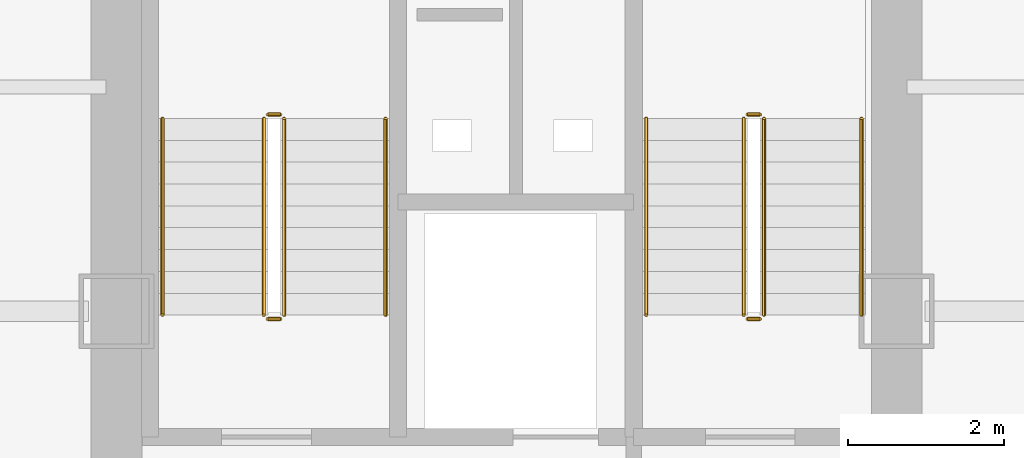
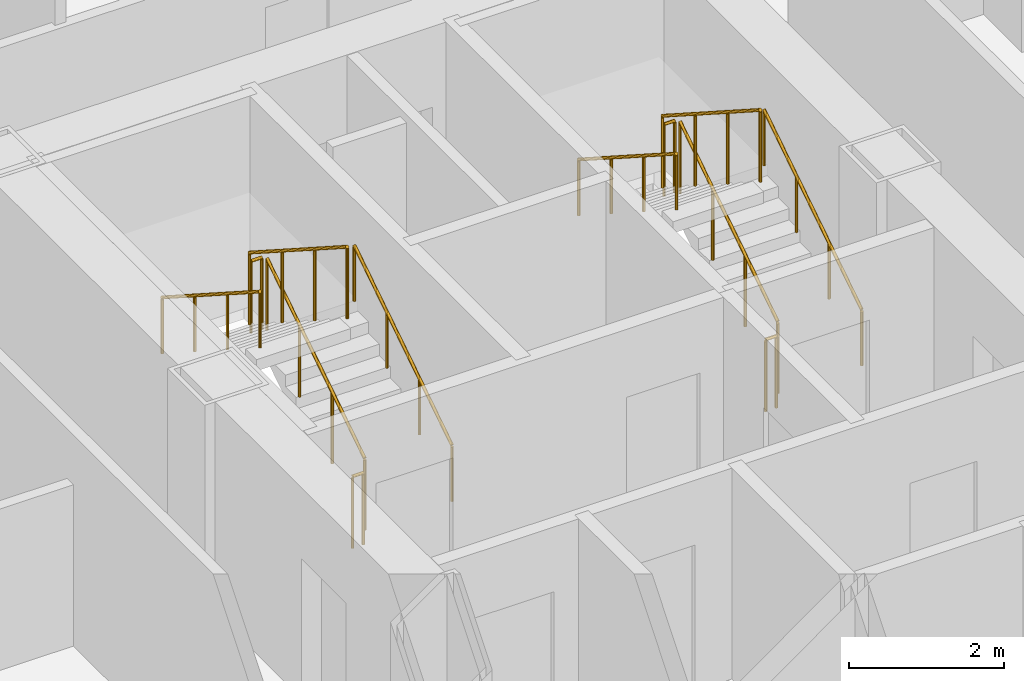
# One storey, part 21 of 22: 12 railings.
"""IFC4 building model written with IfcOpenShell, lengths in metres."""

from ifc_helpers import new_model, si_unit, direction, frame, origin, origin_2d, place, context, subcontext, project, spatial, circle, extrude, material, type_object, element, save


model = new_model("IFC4")

# Units and contexts
model_context = context("Model", 3, precision=1e-05, world=origin(), true_north=direction((0.0, 1.0)))
body_context = subcontext(model_context, "Body", "Model", "MODEL_VIEW")
ifc_project = project(units=[si_unit("LENGTHUNIT", "METRE"), si_unit("AREAUNIT", "SQUARE_METRE"), si_unit("VOLUMEUNIT", "CUBIC_METRE"), si_unit("PLANEANGLEUNIT", "RADIAN"), si_unit("MASSUNIT", "GRAM", prefix="KILO")], contexts=[model_context])

# Site, building, storey
site_placement = place(None, origin())
site = spatial("IfcSite", under=ifc_project, at=site_placement, CompositionType="ELEMENT")
building_placement = place(site_placement, origin())
building = spatial("IfcBuilding", under=site, at=building_placement, Name="Kolveth Station Tower", CompositionType="ELEMENT")
storey_placement = place(building_placement, frame((0.0, 0.0, 51.300048828125)))
storey = spatial("IfcBuildingStorey", under=building, at=storey_placement, Name="L13", CompositionType="ELEMENT", Elevation=51.300048828125)

# Railings
ifc_material_1 = material(Name="Painted Steel S355 balustrade", Category="steel")
railing_type_1 = type_object("IfcRailingType", Name="Guard_GR2", PredefinedType="BALUSTRADE", material=ifc_material_1)
railing_1_placement = place(storey_placement, frame((20.64990234375, 22.949951171875, 0.179931640625)))
element("IfcRailing", 1, at=railing_1_placement, inside=storey, type_object=railing_type_1, Name="L13 ST1 stair guard 1", PredefinedType="BALUSTRADE", context=body_context, shape_type="SweptSolid", body=[
    extrude(circle(Radius=0.02392578125, at=origin_2d()), frame((0.0, 0.0, 1.1259765625), z_axis=(0.0, 0.841162588446, 0.540782303519), x_axis=(-1.0, 0.0, 0.0)), (0.0, 0.0, 1.0), 2.995849609375),
    extrude(circle(Radius=0.02099609375, at=origin_2d()), origin(), (0.0, 0.0, 1.0), 1.101806640625),
    extrude(circle(Radius=0.02099609375, at=origin_2d()), frame((0.0, 0.840087890625, 0.5400390625)), (0.0, 0.0, 1.0), 1.101806640625),
    extrude(circle(Radius=0.02099609375, at=origin_2d()), frame((0.0, 1.679931640625, 1.080078125)), (0.0, 0.0, 1.0), 1.101806640625),
    extrude(circle(Radius=0.02099609375, at=origin_2d()), frame((0.0, 2.52001953125, 1.6201171875)), (0.0, 0.0, 1.0), 1.101806640625),
])
railing_2_placement = place(storey_placement, frame((20.60009765625, 25.52001953125, 1.800048828125)))
element("IfcRailing", 2, at=railing_2_placement, inside=storey, type_object=railing_type_1, Name="L13 ST1 stair guard 2", PredefinedType="BALUSTRADE", context=body_context, shape_type="SweptSolid", body=[
    extrude(circle(Radius=0.02392578125, at=origin_2d()), frame((0.0, 0.0, 1.1259765625), z_axis=(-1.0, 0.0, 0.0), x_axis=(0.0, -1.0, 0.0)), (0.0, 0.0, 1.0), 0.16015625),
    extrude(circle(Radius=0.02099609375, at=origin_2d()), origin(), (0.0, 0.0, 1.0), 1.101806640625),
    extrude(circle(Radius=0.02099609375, at=origin_2d()), frame((-0.16015625, 0.0, 0.0)), (0.0, 0.0, 1.0), 1.101806640625),
])
railing_3_placement = place(storey_placement, frame((20.389892578125, 25.469970703125, 1.97998046875)))
element("IfcRailing", 3, at=railing_3_placement, inside=storey, type_object=railing_type_1, Name="L13 ST1 stair guard 3", PredefinedType="BALUSTRADE", context=body_context, shape_type="SweptSolid", body=[
    extrude(circle(Radius=0.02392578125, at=origin_2d()), frame((0.0, 0.0, 1.1259765625), z_axis=(0.0, -0.841199657755, 0.540724639528), x_axis=(1.0, 0.0, 0.0)), (0.0, 0.0, 1.0), 2.995849609375),
    extrude(circle(Radius=0.02099609375, at=origin_2d()), origin(), (0.0, 0.0, 1.0), 1.101806640625),
    extrude(circle(Radius=0.02099609375, at=origin_2d()), frame((0.0, -0.840087890625, 0.5400390625)), (0.0, 0.0, 1.0), 1.101806640625),
    extrude(circle(Radius=0.02099609375, at=origin_2d()), frame((0.0, -1.679931640625, 1.079833984375)), (0.0, 0.0, 1.0), 1.101806640625),
    extrude(circle(Radius=0.02099609375, at=origin_2d()), frame((0.0, -2.52001953125, 1.619873046875)), (0.0, 0.0, 1.0), 1.101806640625),
])
railing_4_placement = place(storey_placement, frame((20.60009765625, 22.89990234375, 0.0)))
element("IfcRailing", 4, at=railing_4_placement, inside=storey, type_object=railing_type_1, Name="L13 ST1 stair guard 4", PredefinedType="BALUSTRADE", context=body_context, shape_type="SweptSolid", body=[
    extrude(circle(Radius=0.02392578125, at=origin_2d()), frame((0.0, 0.0, 1.1259765625), z_axis=(-1.0, 0.0, 0.0), x_axis=(0.0, -1.0, 0.0)), (0.0, 0.0, 1.0), 0.16015625),
    extrude(circle(Radius=0.02099609375, at=origin_2d()), origin(), (0.0, 0.0, 1.0), 1.101806640625),
    extrude(circle(Radius=0.02099609375, at=origin_2d()), frame((-0.16015625, 0.0, 0.0)), (0.0, 0.0, 1.0), 1.101806640625),
])
railing_5_placement = place(storey_placement, frame((26.800048828125, 22.949951171875, 0.179931640625)))
element("IfcRailing", 5, at=railing_5_placement, inside=storey, type_object=railing_type_1, Name="L13 ST2 stair guard 1", PredefinedType="BALUSTRADE", context=body_context, shape_type="SweptSolid", body=[
    extrude(circle(Radius=0.02392578125, at=origin_2d()), frame((0.0, 0.0, 1.1259765625), z_axis=(0.0, 0.841162588446, 0.540782303519), x_axis=(-1.0, 0.0, 0.0)), (0.0, 0.0, 1.0), 2.995849609375),
    extrude(circle(Radius=0.02099609375, at=origin_2d()), origin(), (0.0, 0.0, 1.0), 1.101806640625),
    extrude(circle(Radius=0.02099609375, at=origin_2d()), frame((0.0, 0.840087890625, 0.5400390625)), (0.0, 0.0, 1.0), 1.101806640625),
    extrude(circle(Radius=0.02099609375, at=origin_2d()), frame((0.0, 1.679931640625, 1.080078125)), (0.0, 0.0, 1.0), 1.101806640625),
    extrude(circle(Radius=0.02099609375, at=origin_2d()), frame((0.0, 2.52001953125, 1.6201171875)), (0.0, 0.0, 1.0), 1.101806640625),
])
railing_6_placement = place(storey_placement, frame((26.75, 25.52001953125, 1.800048828125)))
element("IfcRailing", 6, at=railing_6_placement, inside=storey, type_object=railing_type_1, Name="L13 ST2 stair guard 2", PredefinedType="BALUSTRADE", context=body_context, shape_type="SweptSolid", body=[
    extrude(circle(Radius=0.02392578125, at=origin_2d()), frame((0.0, 0.0, 1.1259765625), z_axis=(-1.0, 0.0, 0.0), x_axis=(0.0, -1.0, 0.0)), (0.0, 0.0, 1.0), 0.159912109375),
    extrude(circle(Radius=0.02099609375, at=origin_2d()), origin(), (0.0, 0.0, 1.0), 1.101806640625),
    extrude(circle(Radius=0.02099609375, at=origin_2d()), frame((-0.159912109375, 0.0, 0.0)), (0.0, 0.0, 1.0), 1.101806640625),
])
railing_7_placement = place(storey_placement, frame((26.5400390625, 25.469970703125, 1.97998046875)))
element("IfcRailing", 7, at=railing_7_placement, inside=storey, type_object=railing_type_1, Name="L13 ST2 stair guard 3", PredefinedType="BALUSTRADE", context=body_context, shape_type="SweptSolid", body=[
    extrude(circle(Radius=0.02392578125, at=origin_2d()), frame((0.0, 0.0, 1.1259765625), z_axis=(0.0, -0.841199657755, 0.540724639528), x_axis=(1.0, 0.0, 0.0)), (0.0, 0.0, 1.0), 2.995849609375),
    extrude(circle(Radius=0.02099609375, at=origin_2d()), origin(), (0.0, 0.0, 1.0), 1.101806640625),
    extrude(circle(Radius=0.02099609375, at=origin_2d()), frame((0.0, -0.840087890625, 0.5400390625)), (0.0, 0.0, 1.0), 1.101806640625),
    extrude(circle(Radius=0.02099609375, at=origin_2d()), frame((0.0, -1.679931640625, 1.079833984375)), (0.0, 0.0, 1.0), 1.101806640625),
    extrude(circle(Radius=0.02099609375, at=origin_2d()), frame((0.0, -2.52001953125, 1.619873046875)), (0.0, 0.0, 1.0), 1.101806640625),
])
railing_8_placement = place(storey_placement, frame((26.75, 22.89990234375, 0.0)))
element("IfcRailing", 8, at=railing_8_placement, inside=storey, type_object=railing_type_1, Name="L13 ST2 stair guard 4", PredefinedType="BALUSTRADE", context=body_context, shape_type="SweptSolid", body=[
    extrude(circle(Radius=0.02392578125, at=origin_2d()), frame((0.0, 0.0, 1.1259765625), z_axis=(-1.0, 0.0, 0.0), x_axis=(0.0, -1.0, 0.0)), (0.0, 0.0, 1.0), 0.159912109375),
    extrude(circle(Radius=0.02099609375, at=origin_2d()), origin(), (0.0, 0.0, 1.0), 1.101806640625),
    extrude(circle(Radius=0.02099609375, at=origin_2d()), frame((-0.159912109375, 0.0, 0.0)), (0.0, 0.0, 1.0), 1.101806640625),
])
ifc_material_2 = material(Name="Brushed stainless steel", Category="steel")
railing_type_2 = type_object("IfcRailingType", Name="Handrail_HR1", PredefinedType="HANDRAIL", material=ifc_material_2)
railing_9_placement = place(storey_placement, frame((21.949951171875, 22.949951171875, 0.179931640625)))
element("IfcRailing", 9, at=railing_9_placement, inside=storey, type_object=railing_type_2, Name="L13 ST1 stair handrail 1", PredefinedType="HANDRAIL", context=body_context, shape_type="SweptSolid", body=[
    extrude(circle(Radius=0.02392578125, at=origin_2d()), frame((0.0, 0.0, 0.8759765625), z_axis=(0.0, 0.841162588446, 0.540782303519), x_axis=(-1.0, 0.0, 0.0)), (0.0, 0.0, 1.0), 2.995849609375),
    extrude(circle(Radius=0.02099609375, at=origin_2d()), origin(), (0.0, 0.0, 1.0), 0.851806640625),
    extrude(circle(Radius=0.02099609375, at=origin_2d()), frame((0.0, 0.840087890625, 0.5400390625)), (0.0, 0.0, 1.0), 0.851806640625),
    extrude(circle(Radius=0.02099609375, at=origin_2d()), frame((0.0, 1.679931640625, 1.080078125)), (0.0, 0.0, 1.0), 0.851806640625),
    extrude(circle(Radius=0.02099609375, at=origin_2d()), frame((0.0, 2.52001953125, 1.6201171875)), (0.0, 0.0, 1.0), 0.851806640625),
])
railing_10_placement = place(storey_placement, frame((19.090087890625, 25.469970703125, 1.97998046875)))
element("IfcRailing", 10, at=railing_10_placement, inside=storey, type_object=railing_type_2, Name="L13 ST1 stair handrail 2", PredefinedType="HANDRAIL", context=body_context, shape_type="SweptSolid", body=[
    extrude(circle(Radius=0.02392578125, at=origin_2d()), frame((0.0, 0.0, 0.8759765625), z_axis=(0.0, -0.841199657755, 0.540724639528), x_axis=(1.0, 0.0, 0.0)), (0.0, 0.0, 1.0), 2.995849609375),
    extrude(circle(Radius=0.02099609375, at=origin_2d()), origin(), (0.0, 0.0, 1.0), 0.851806640625),
    extrude(circle(Radius=0.02099609375, at=origin_2d()), frame((0.0, -0.840087890625, 0.5400390625)), (0.0, 0.0, 1.0), 0.851806640625),
    extrude(circle(Radius=0.02099609375, at=origin_2d()), frame((0.0, -1.679931640625, 1.079833984375)), (0.0, 0.0, 1.0), 0.851806640625),
    extrude(circle(Radius=0.02099609375, at=origin_2d()), frame((0.0, -2.52001953125, 1.619873046875)), (0.0, 0.0, 1.0), 0.851806640625),
])
railing_11_placement = place(storey_placement, frame((28.050048828125, 22.949951171875, 0.179931640625)))
element("IfcRailing", 11, at=railing_11_placement, inside=storey, type_object=railing_type_2, Name="L13 ST2 stair handrail 1", PredefinedType="HANDRAIL", context=body_context, shape_type="SweptSolid", body=[
    extrude(circle(Radius=0.02392578125, at=origin_2d()), frame((0.0, 0.0, 0.8759765625), z_axis=(0.0, 0.841162588446, 0.540782303519), x_axis=(-1.0, 0.0, 0.0)), (0.0, 0.0, 1.0), 2.995849609375),
    extrude(circle(Radius=0.02099609375, at=origin_2d()), origin(), (0.0, 0.0, 1.0), 0.851806640625),
    extrude(circle(Radius=0.02099609375, at=origin_2d()), frame((0.0, 0.840087890625, 0.5400390625)), (0.0, 0.0, 1.0), 0.851806640625),
    extrude(circle(Radius=0.02099609375, at=origin_2d()), frame((0.0, 1.679931640625, 1.080078125)), (0.0, 0.0, 1.0), 0.851806640625),
    extrude(circle(Radius=0.02099609375, at=origin_2d()), frame((0.0, 2.52001953125, 1.6201171875)), (0.0, 0.0, 1.0), 0.851806640625),
])
railing_12_placement = place(storey_placement, frame((25.2900390625, 25.469970703125, 1.97998046875)))
element("IfcRailing", 12, at=railing_12_placement, inside=storey, type_object=railing_type_2, Name="L13 ST2 stair handrail 2", PredefinedType="HANDRAIL", context=body_context, shape_type="SweptSolid", body=[
    extrude(circle(Radius=0.02392578125, at=origin_2d()), frame((0.0, 0.0, 0.8759765625), z_axis=(0.0, -0.841199657755, 0.540724639528), x_axis=(1.0, 0.0, 0.0)), (0.0, 0.0, 1.0), 2.995849609375),
    extrude(circle(Radius=0.02099609375, at=origin_2d()), origin(), (0.0, 0.0, 1.0), 0.851806640625),
    extrude(circle(Radius=0.02099609375, at=origin_2d()), frame((0.0, -0.840087890625, 0.5400390625)), (0.0, 0.0, 1.0), 0.851806640625),
    extrude(circle(Radius=0.02099609375, at=origin_2d()), frame((0.0, -1.679931640625, 1.079833984375)), (0.0, 0.0, 1.0), 0.851806640625),
    extrude(circle(Radius=0.02099609375, at=origin_2d()), frame((0.0, -2.52001953125, 1.619873046875)), (0.0, 0.0, 1.0), 0.851806640625),
])

save(model, "model.ifc")
